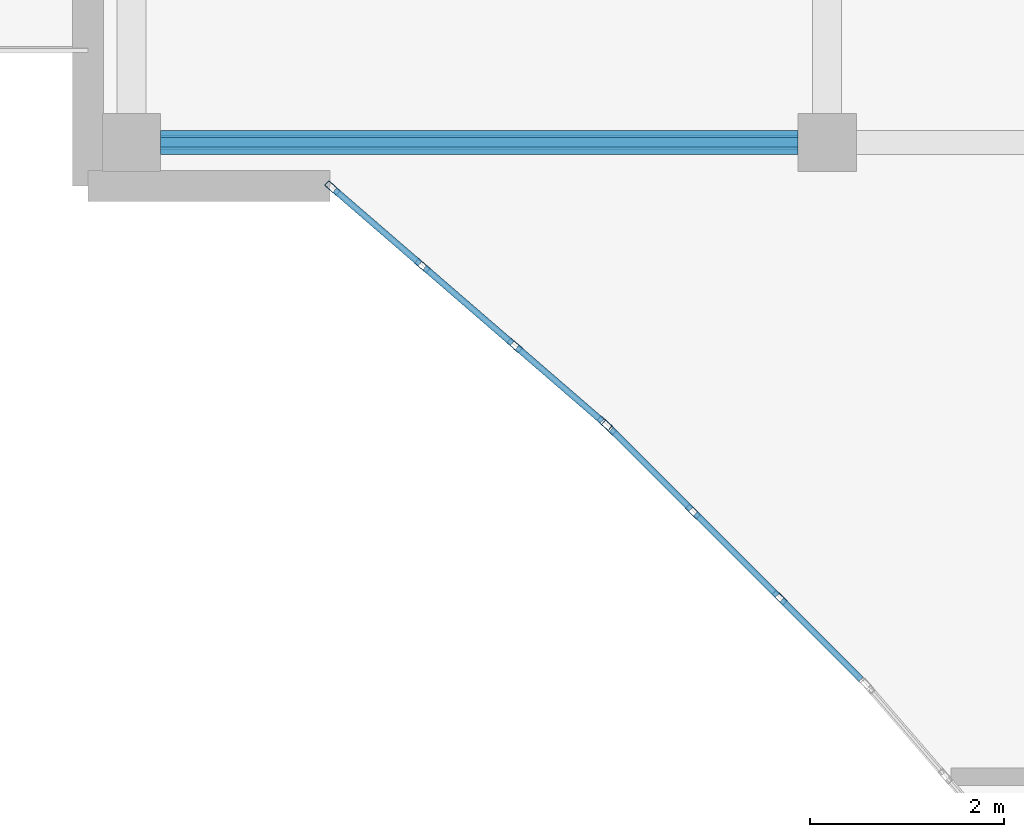
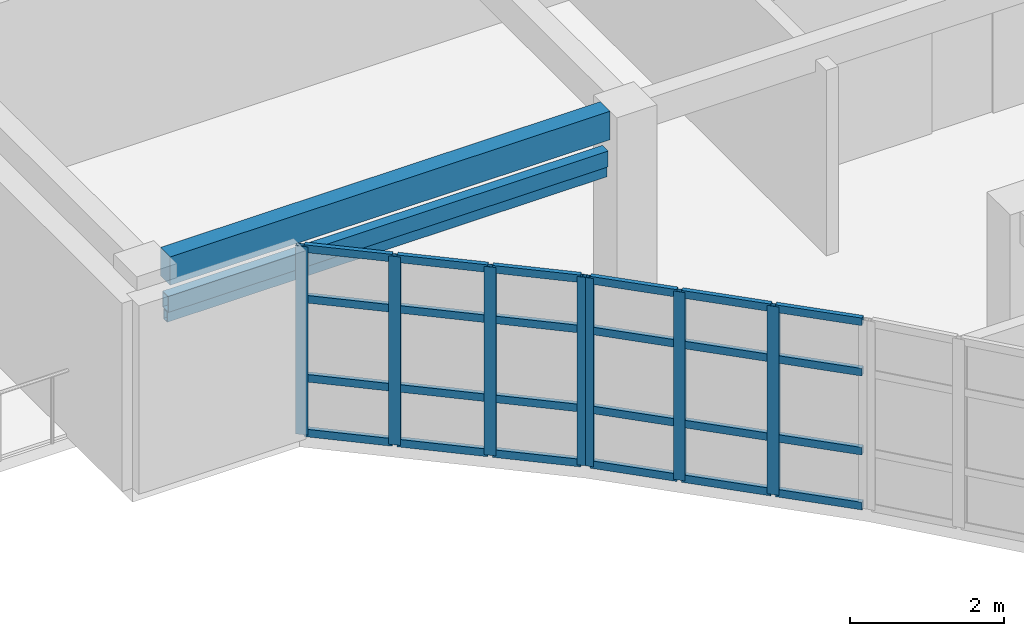
# One storey, part 9 of 72: 33 members, 1 beam, 2 elements without a shape of their own.
"""IFC4 building model written with IfcOpenShell, lengths in metres."""

from ifc_helpers import new_model, si_unit, direction, frame, origin, origin_2d, place, context, subcontext, project, spatial, rectangle, hollow_rectangle, extrude, material, layer, layer_set, material_profile, profile_set, type_object, element, aggregate, save


model = new_model("IFC4")

# Units and contexts
model_context = context("Model", 3, precision=1e-05, world=origin(), true_north=direction((0.0, 1.0)))
body_context = subcontext(model_context, "Body", "Model", "MODEL_VIEW")
ifc_project = project(units=[si_unit("LENGTHUNIT", "METRE"), si_unit("AREAUNIT", "SQUARE_METRE"), si_unit("VOLUMEUNIT", "CUBIC_METRE"), si_unit("PLANEANGLEUNIT", "RADIAN"), si_unit("MASSUNIT", "GRAM", prefix="KILO")], contexts=[model_context])

# Site, building, storey
site_placement = place(None, origin())
site = spatial("IfcSite", under=ifc_project, at=site_placement, CompositionType="ELEMENT")
building_placement = place(site_placement, origin())
building = spatial("IfcBuilding", under=site, at=building_placement, Name="Keldmere Railside Commons", CompositionType="ELEMENT")
storey_placement = place(building_placement, frame((0.0, 0.0, 16.9599609375)))
storey = spatial("IfcBuildingStorey", under=building, at=storey_placement, Name="L05", CompositionType="ELEMENT", Elevation=16.9599609375)

# Member
ifc_material_1 = material(Name="Steel F-36 (S355)", Category="steel")
ifc_material_profile_1 = material_profile(ifc_material_1, hollow_rectangle(XDim=0.14990234375, YDim=0.25, WallThickness=0.010009765625, at=origin_2d()), Name="RHS-250x150x10")
ifc_profile_set_1 = profile_set([ifc_material_profile_1], Name="Steel F-36 (S355)")
member_type_1 = type_object("IfcMemberType", Name="Balcony Continuous Planted Trough RHS250x150", PredefinedType="CHORD", material=ifc_profile_set_1)
member_1_placement = place(storey_placement, frame((94.25, 100.449951171875, 2.4150390625), z_axis=(1.0, 0.0, 0.0), x_axis=(0.0, 1.0, 0.0)))
element("IfcMember", 1, at=member_1_placement, inside=storey, type_object=member_type_1, Name="PLT-1 MEM-BPLT-0633", PredefinedType="CHORD", context=body_context, shape_type="SweptSolid", body=[
    extrude(hollow_rectangle(XDim=0.14990234375, YDim=0.25, WallThickness=0.010009765625, at=origin_2d()), origin(), (0.0, 0.0, 1.0), 6.5830078125),
])

# Beam
ifc_material_2 = material(Name="Architectural Precast Concrete H-35 (C35/45)", Category="concrete")
ifc_material_profile_2 = material_profile(ifc_material_2, rectangle(XDim=0.25, YDim=0.449951171875, at=origin_2d()), Name="RC-250x450")
ifc_profile_set_2 = profile_set([ifc_material_profile_2], Name="Architectural Precast Concrete H-35 (C35/45)")
beam_type = type_object("IfcBeamType", Name="Perimeter Precast Spandrel Beam 250x450", PredefinedType="SPANDREL", material=ifc_profile_set_2)
beam_placement = place(storey_placement, frame((94.25, 100.449951171875, 2.97509765625), z_axis=(1.0, 0.0, 0.0), x_axis=(0.0, 1.0, 0.0)))
element("IfcBeam", 2, at=beam_placement, inside=storey, type_object=beam_type, Name="SPB-1 BM-L05-1732", PredefinedType="SPANDREL", context=body_context, shape_type="SweptSolid", body=[
    extrude(rectangle(XDim=0.25, YDim=0.449951171875, at=origin_2d()), origin(), (0.0, 0.0, 1.0), 6.5830078125),
])

# Member
ifc_material_profile_3 = material_profile(ifc_material_1, hollow_rectangle(XDim=0.10009765625, YDim=0.159912109375, WallThickness=0.008056640625, at=origin_2d()), Name="RHS-160x100x8")
ifc_profile_set_3 = profile_set([ifc_material_profile_3], Name="Steel F-36 (S355)")
member_type_2 = type_object("IfcMemberType", Name="Solar Brise-Soleil Louvre Fin RHS160x100", PredefinedType="STRUT", material=ifc_profile_set_3)
member_2_placement = place(storey_placement, frame((94.25, 100.449951171875, 2.199951171875), z_axis=(1.0, 0.0, 0.0), x_axis=(0.0, 1.0, 0.0)))
element("IfcMember", 3, at=member_2_placement, inside=storey, type_object=member_type_2, Name="BSF-1 MEM-BSF-0634", PredefinedType="STRUT", context=body_context, shape_type="SweptSolid", body=[
    extrude(hollow_rectangle(XDim=0.10009765625, YDim=0.159912109375, WallThickness=0.008056640625, at=origin_2d()), origin(), (0.0, 0.0, 1.0), 6.5830078125),
])

# Curtain wall, members
ifc_material_3 = material(Name="Thermally Broken Aluminium", Category="aluminium")
ifc_layer_1 = layer(ifc_material_3, 0.159912109375, Name="Court Chord Wintergarden CW 4800x2850")
ifc_layer_set_1 = layer_set([ifc_layer_1], Name="Thermally Broken Aluminium")
curtain_wall_type_1 = type_object("IfcCurtainWallType", Name="Court Chord Wintergarden CW 4800x2850", PredefinedType="NOTDEFINED", material=ifc_layer_set_1)
curtain_wall_1_placement = place(storey_placement, origin())
curtain_wall_1 = element("IfcCurtainWall", 4, at=curtain_wall_1_placement, inside=storey, type_object=curtain_wall_type_1, Name="CW-12 CW-L05-118", PredefinedType="NOTDEFINED")
ifc_material_profile_4 = material_profile(ifc_material_3, hollow_rectangle(XDim=0.06494140625, YDim=0.159912109375, WallThickness=0.00390625, at=origin_2d()), Name="ALU-MULL-65x160")
ifc_profile_set_4 = profile_set([ifc_material_profile_4], Name="Thermally Broken Aluminium")
member_type_3 = type_object("IfcMemberType", Name="Unitised Curtain Wall Mullion 65x160", PredefinedType="MULLION", material=ifc_profile_set_4)
member_3_placement = place(storey_placement, frame((98.83349609375, 97.55126953125, 0.0), z_axis=(0.0, 0.0, 1.0), x_axis=(-0.653881741053, -0.756596767584, 0.0)))
member_3 = element("IfcMember", 5, at=member_3_placement, type_object=member_type_3, Name="CW-12 mullion 1", PredefinedType="MULLION", context=body_context, shape_type="SweptSolid", body=[
    extrude(hollow_rectangle(XDim=0.06494140625, YDim=0.159912109375, WallThickness=0.00390625, at=origin_2d()), origin(), (0.0, 0.0, 1.0), 2.97998046875),
])
member_4_placement = place(storey_placement, frame((97.9052734375, 98.353271484375, 0.0), z_axis=(0.0, 0.0, 1.0), x_axis=(-0.653881741053, -0.756596767584, 0.0)))
member_4 = element("IfcMember", 6, at=member_4_placement, type_object=member_type_3, Name="CW-12 mullion 2", PredefinedType="MULLION", context=body_context, shape_type="SweptSolid", body=[
    extrude(hollow_rectangle(XDim=0.06494140625, YDim=0.159912109375, WallThickness=0.00390625, at=origin_2d()), origin(), (0.0, 0.0, 1.0), 2.97998046875),
])
member_5_placement = place(storey_placement, frame((96.95263671875, 99.1767578125, 0.0), z_axis=(0.0, 0.0, 1.0), x_axis=(-0.653881741053, -0.756596767584, 0.0)))
member_5 = element("IfcMember", 7, at=member_5_placement, type_object=member_type_3, Name="CW-12 mullion 3", PredefinedType="MULLION", context=body_context, shape_type="SweptSolid", body=[
    extrude(hollow_rectangle(XDim=0.06494140625, YDim=0.159912109375, WallThickness=0.00390625, at=origin_2d()), origin(), (0.0, 0.0, 1.0), 2.97998046875),
])
member_6_placement = place(storey_placement, frame((96.024658203125, 99.978759765625, 0.0), z_axis=(0.0, 0.0, 1.0), x_axis=(-0.653881741053, -0.756596767584, 0.0)))
member_6 = element("IfcMember", 8, at=member_6_placement, type_object=member_type_3, Name="CW-12 mullion 4", PredefinedType="MULLION", context=body_context, shape_type="SweptSolid", body=[
    extrude(hollow_rectangle(XDim=0.06494140625, YDim=0.159912109375, WallThickness=0.00390625, at=origin_2d()), origin(), (0.0, 0.0, 1.0), 2.97998046875),
])

ifc_layer_2 = layer(ifc_material_3, 0.159912109375, Name="Court Chord Wintergarden CW 5400x2850")
ifc_layer_set_2 = layer_set([ifc_layer_2], Name="Thermally Broken Aluminium")
curtain_wall_type_2 = type_object("IfcCurtainWallType", Name="Court Chord Wintergarden CW 5400x2850", PredefinedType="NOTDEFINED", material=ifc_layer_set_2)
curtain_wall_2_placement = place(storey_placement, origin())
curtain_wall_2 = element("IfcCurtainWall", 9, at=curtain_wall_2_placement, inside=storey, type_object=curtain_wall_type_2, Name="CW-13 CW-L05-119", PredefinedType="NOTDEFINED")
member_7_placement = place(storey_placement, frame((100.639404296875, 95.748779296875, 0.0), z_axis=(0.0, 0.0, 1.0), x_axis=(-0.707106781187, -0.707106781187, 0.0)))
member_7 = element("IfcMember", 10, at=member_7_placement, type_object=member_type_3, Name="CW-13 mullion 2", PredefinedType="MULLION", context=body_context, shape_type="SweptSolid", body=[
    extrude(hollow_rectangle(XDim=0.06494140625, YDim=0.159912109375, WallThickness=0.00390625, at=origin_2d()), origin(), (0.0, 0.0, 1.0), 2.97998046875),
])
member_8_placement = place(storey_placement, frame((99.748779296875, 96.639404296875, 0.0), z_axis=(0.0, 0.0, 1.0), x_axis=(-0.707106781187, -0.707106781187, 0.0)))
member_8 = element("IfcMember", 11, at=member_8_placement, type_object=member_type_3, Name="CW-13 mullion 3", PredefinedType="MULLION", context=body_context, shape_type="SweptSolid", body=[
    extrude(hollow_rectangle(XDim=0.06494140625, YDim=0.159912109375, WallThickness=0.00390625, at=origin_2d()), origin(), (0.0, 0.0, 1.0), 2.97998046875),
])
member_9_placement = place(storey_placement, frame((98.880859375, 97.507080078125, 0.0), z_axis=(0.0, 0.0, 1.0), x_axis=(-0.707106781187, -0.707106781187, 0.0)))
member_9 = element("IfcMember", 12, at=member_9_placement, type_object=member_type_3, Name="CW-13 mullion 4", PredefinedType="MULLION", context=body_context, shape_type="SweptSolid", body=[
    extrude(hollow_rectangle(XDim=0.06494140625, YDim=0.159912109375, WallThickness=0.00390625, at=origin_2d()), origin(), (0.0, 0.0, 1.0), 2.97998046875),
])

# Member
ifc_material_profile_5 = material_profile(ifc_material_3, hollow_rectangle(XDim=0.06494140625, YDim=0.1201171875, WallThickness=0.00390625, at=origin_2d()), Name="ALU-TRAN-65x120")
ifc_profile_set_5 = profile_set([ifc_material_profile_5], Name="Thermally Broken Aluminium")
member_type_4 = type_object("IfcMemberType", Name="Unitised Curtain Wall Transom 65x120", PredefinedType="USERDEFINED", material=ifc_profile_set_5)
member_10_placement = place(storey_placement, frame((98.808837890625, 97.572509765625, 0.032470703125), z_axis=(-0.756624489527, 0.653849663033, 0.0), x_axis=(-0.653849663033, -0.756624489527, 0.0)))
member_10 = element("IfcMember", 13, at=member_10_placement, type_object=member_type_4, Name="CW-12 transom 1.1", ObjectType="TRANSOM", PredefinedType="USERDEFINED", context=body_context, shape_type="SweptSolid", body=[
    extrude(hollow_rectangle(XDim=0.06494140625, YDim=0.1201171875, WallThickness=0.00390625, at=origin_2d()), origin(), (0.0, 0.0, 1.0), 1.16162109375),
])

member_11_placement = place(storey_placement, frame((98.808837890625, 97.572509765625, 0.900146484375), z_axis=(-0.756624489527, 0.653849663033, 0.0), x_axis=(-0.653849663033, -0.756624489527, 0.0)))
member_11 = element("IfcMember", 14, at=member_11_placement, type_object=member_type_4, Name="CW-12 transom 1.2", ObjectType="TRANSOM", PredefinedType="USERDEFINED", context=body_context, shape_type="SweptSolid", body=[
    extrude(hollow_rectangle(XDim=0.06494140625, YDim=0.1201171875, WallThickness=0.00390625, at=origin_2d()), origin(), (0.0, 0.0, 1.0), 1.16162109375),
])

member_12_placement = place(storey_placement, frame((98.808837890625, 97.572509765625, 2.150146484375), z_axis=(-0.756624489527, 0.653849663033, 0.0), x_axis=(-0.653849663033, -0.756624489527, 0.0)))
member_12 = element("IfcMember", 15, at=member_12_placement, type_object=member_type_4, Name="CW-12 transom 1.3", ObjectType="TRANSOM", PredefinedType="USERDEFINED", context=body_context, shape_type="SweptSolid", body=[
    extrude(hollow_rectangle(XDim=0.06494140625, YDim=0.1201171875, WallThickness=0.00390625, at=origin_2d()), origin(), (0.0, 0.0, 1.0), 1.16162109375),
])

member_13_placement = place(storey_placement, frame((98.808837890625, 97.572509765625, 2.947509765625), z_axis=(-0.756624489527, 0.653849663033, 0.0), x_axis=(-0.653849663033, -0.756624489527, 0.0)))
member_13 = element("IfcMember", 16, at=member_13_placement, type_object=member_type_4, Name="CW-12 transom 1.4", ObjectType="TRANSOM", PredefinedType="USERDEFINED", context=body_context, shape_type="SweptSolid", body=[
    extrude(hollow_rectangle(XDim=0.06494140625, YDim=0.1201171875, WallThickness=0.00390625, at=origin_2d()), origin(), (0.0, 0.0, 1.0), 1.16162109375),
])

member_14_placement = place(storey_placement, frame((97.880859375, 98.37451171875, 0.032470703125), z_axis=(-0.756551755881, 0.653933819796, 0.0), x_axis=(-0.653933819796, -0.756551755881, 0.0)))
member_14 = element("IfcMember", 17, at=member_14_placement, type_object=member_type_4, Name="CW-12 transom 2.1", ObjectType="TRANSOM", PredefinedType="USERDEFINED", context=body_context, shape_type="SweptSolid", body=[
    extrude(hollow_rectangle(XDim=0.06494140625, YDim=0.1201171875, WallThickness=0.00390625, at=origin_2d()), origin(), (0.0, 0.0, 1.0), 1.1943359375),
])

member_15_placement = place(storey_placement, frame((97.880859375, 98.37451171875, 0.900146484375), z_axis=(-0.756551755881, 0.653933819796, 0.0), x_axis=(-0.653933819796, -0.756551755881, 0.0)))
member_15 = element("IfcMember", 18, at=member_15_placement, type_object=member_type_4, Name="CW-12 transom 2.2", ObjectType="TRANSOM", PredefinedType="USERDEFINED", context=body_context, shape_type="SweptSolid", body=[
    extrude(hollow_rectangle(XDim=0.06494140625, YDim=0.1201171875, WallThickness=0.00390625, at=origin_2d()), origin(), (0.0, 0.0, 1.0), 1.1943359375),
])

member_16_placement = place(storey_placement, frame((97.880859375, 98.37451171875, 2.150146484375), z_axis=(-0.756551755881, 0.653933819796, 0.0), x_axis=(-0.653933819796, -0.756551755881, 0.0)))
member_16 = element("IfcMember", 19, at=member_16_placement, type_object=member_type_4, Name="CW-12 transom 2.3", ObjectType="TRANSOM", PredefinedType="USERDEFINED", context=body_context, shape_type="SweptSolid", body=[
    extrude(hollow_rectangle(XDim=0.06494140625, YDim=0.1201171875, WallThickness=0.00390625, at=origin_2d()), origin(), (0.0, 0.0, 1.0), 1.1943359375),
])

member_17_placement = place(storey_placement, frame((97.880859375, 98.37451171875, 2.947509765625), z_axis=(-0.756551755881, 0.653933819796, 0.0), x_axis=(-0.653933819796, -0.756551755881, 0.0)))
member_17 = element("IfcMember", 20, at=member_17_placement, type_object=member_type_4, Name="CW-12 transom 2.4", ObjectType="TRANSOM", PredefinedType="USERDEFINED", context=body_context, shape_type="SweptSolid", body=[
    extrude(hollow_rectangle(XDim=0.06494140625, YDim=0.1201171875, WallThickness=0.00390625, at=origin_2d()), origin(), (0.0, 0.0, 1.0), 1.1943359375),
])

member_18_placement = place(storey_placement, frame((96.927978515625, 99.197998046875, 0.032470703125), z_axis=(-0.756624489527, 0.653849663033, 0.0), x_axis=(-0.653849663033, -0.756624489527, 0.0)))
member_18 = element("IfcMember", 21, at=member_18_placement, type_object=member_type_4, Name="CW-12 transom 3.1", ObjectType="TRANSOM", PredefinedType="USERDEFINED", context=body_context, shape_type="SweptSolid", body=[
    extrude(hollow_rectangle(XDim=0.06494140625, YDim=0.1201171875, WallThickness=0.00390625, at=origin_2d()), origin(), (0.0, 0.0, 1.0), 1.16162109375),
])

member_19_placement = place(storey_placement, frame((96.927978515625, 99.197998046875, 0.900146484375), z_axis=(-0.756624489527, 0.653849663033, 0.0), x_axis=(-0.653849663033, -0.756624489527, 0.0)))
member_19 = element("IfcMember", 22, at=member_19_placement, type_object=member_type_4, Name="CW-12 transom 3.2", ObjectType="TRANSOM", PredefinedType="USERDEFINED", context=body_context, shape_type="SweptSolid", body=[
    extrude(hollow_rectangle(XDim=0.06494140625, YDim=0.1201171875, WallThickness=0.00390625, at=origin_2d()), origin(), (0.0, 0.0, 1.0), 1.16162109375),
])

member_20_placement = place(storey_placement, frame((96.927978515625, 99.197998046875, 2.150146484375), z_axis=(-0.756624489527, 0.653849663033, 0.0), x_axis=(-0.653849663033, -0.756624489527, 0.0)))
member_20 = element("IfcMember", 23, at=member_20_placement, type_object=member_type_4, Name="CW-12 transom 3.3", ObjectType="TRANSOM", PredefinedType="USERDEFINED", context=body_context, shape_type="SweptSolid", body=[
    extrude(hollow_rectangle(XDim=0.06494140625, YDim=0.1201171875, WallThickness=0.00390625, at=origin_2d()), origin(), (0.0, 0.0, 1.0), 1.16162109375),
])

member_21_placement = place(storey_placement, frame((96.927978515625, 99.197998046875, 2.947509765625), z_axis=(-0.756624489527, 0.653849663033, 0.0), x_axis=(-0.653849663033, -0.756624489527, 0.0)))
member_21 = element("IfcMember", 24, at=member_21_placement, type_object=member_type_4, Name="CW-12 transom 3.4", ObjectType="TRANSOM", PredefinedType="USERDEFINED", context=body_context, shape_type="SweptSolid", body=[
    extrude(hollow_rectangle(XDim=0.06494140625, YDim=0.1201171875, WallThickness=0.00390625, at=origin_2d()), origin(), (0.0, 0.0, 1.0), 1.16162109375),
])

aggregate(curtain_wall_1, [member_3, member_4, member_5, member_6, member_10, member_11, member_12, member_13, member_14, member_15, member_16, member_17, member_18, member_19, member_20, member_21])

member_22_placement = place(storey_placement, frame((101.484130859375, 94.904052734375, 0.032470703125), z_axis=(-0.707211825645, 0.707001721121, 0.0), x_axis=(-0.707001721121, -0.707211825645, 0.0)))
member_22 = element("IfcMember", 25, at=member_22_placement, type_object=member_type_4, Name="CW-13 transom 1.1", ObjectType="TRANSOM", PredefinedType="USERDEFINED", context=body_context, shape_type="SweptSolid", body=[
    extrude(hollow_rectangle(XDim=0.06494140625, YDim=0.1201171875, WallThickness=0.00390625, at=origin_2d()), origin(), (0.0, 0.0, 1.0), 1.162109375),
])

member_23_placement = place(storey_placement, frame((101.484130859375, 94.904052734375, 0.900146484375), z_axis=(-0.707211825645, 0.707001721121, 0.0), x_axis=(-0.707001721121, -0.707211825645, 0.0)))
member_23 = element("IfcMember", 26, at=member_23_placement, type_object=member_type_4, Name="CW-13 transom 1.2", ObjectType="TRANSOM", PredefinedType="USERDEFINED", context=body_context, shape_type="SweptSolid", body=[
    extrude(hollow_rectangle(XDim=0.06494140625, YDim=0.1201171875, WallThickness=0.00390625, at=origin_2d()), origin(), (0.0, 0.0, 1.0), 1.162109375),
])

member_24_placement = place(storey_placement, frame((101.484130859375, 94.904052734375, 2.150146484375), z_axis=(-0.707211825645, 0.707001721121, 0.0), x_axis=(-0.707001721121, -0.707211825645, 0.0)))
member_24 = element("IfcMember", 27, at=member_24_placement, type_object=member_type_4, Name="CW-13 transom 1.3", ObjectType="TRANSOM", PredefinedType="USERDEFINED", context=body_context, shape_type="SweptSolid", body=[
    extrude(hollow_rectangle(XDim=0.06494140625, YDim=0.1201171875, WallThickness=0.00390625, at=origin_2d()), origin(), (0.0, 0.0, 1.0), 1.162109375),
])

member_25_placement = place(storey_placement, frame((101.484130859375, 94.904052734375, 2.947509765625), z_axis=(-0.707211825645, 0.707001721121, 0.0), x_axis=(-0.707001721121, -0.707211825645, 0.0)))
member_25 = element("IfcMember", 28, at=member_25_placement, type_object=member_type_4, Name="CW-13 transom 1.4", ObjectType="TRANSOM", PredefinedType="USERDEFINED", context=body_context, shape_type="SweptSolid", body=[
    extrude(hollow_rectangle(XDim=0.06494140625, YDim=0.1201171875, WallThickness=0.00390625, at=origin_2d()), origin(), (0.0, 0.0, 1.0), 1.162109375),
])

member_26_placement = place(storey_placement, frame((100.616455078125, 95.771728515625, 0.032470703125), z_axis=(-0.707106781187, 0.707106781187, 0.0), x_axis=(-0.707106781187, -0.707106781187, 0.0)))
member_26 = element("IfcMember", 29, at=member_26_placement, type_object=member_type_4, Name="CW-13 transom 2.1", ObjectType="TRANSOM", PredefinedType="USERDEFINED", context=body_context, shape_type="SweptSolid", body=[
    extrude(hollow_rectangle(XDim=0.06494140625, YDim=0.1201171875, WallThickness=0.00390625, at=origin_2d()), origin(), (0.0, 0.0, 1.0), 1.194580078125),
])

member_27_placement = place(storey_placement, frame((100.616455078125, 95.771728515625, 0.900146484375), z_axis=(-0.707106781187, 0.707106781187, 0.0), x_axis=(-0.707106781187, -0.707106781187, 0.0)))
member_27 = element("IfcMember", 30, at=member_27_placement, type_object=member_type_4, Name="CW-13 transom 2.2", ObjectType="TRANSOM", PredefinedType="USERDEFINED", context=body_context, shape_type="SweptSolid", body=[
    extrude(hollow_rectangle(XDim=0.06494140625, YDim=0.1201171875, WallThickness=0.00390625, at=origin_2d()), origin(), (0.0, 0.0, 1.0), 1.194580078125),
])

member_28_placement = place(storey_placement, frame((100.616455078125, 95.771728515625, 2.150146484375), z_axis=(-0.707106781187, 0.707106781187, 0.0), x_axis=(-0.707106781187, -0.707106781187, 0.0)))
member_28 = element("IfcMember", 31, at=member_28_placement, type_object=member_type_4, Name="CW-13 transom 2.3", ObjectType="TRANSOM", PredefinedType="USERDEFINED", context=body_context, shape_type="SweptSolid", body=[
    extrude(hollow_rectangle(XDim=0.06494140625, YDim=0.1201171875, WallThickness=0.00390625, at=origin_2d()), origin(), (0.0, 0.0, 1.0), 1.194580078125),
])

member_29_placement = place(storey_placement, frame((100.616455078125, 95.771728515625, 2.947509765625), z_axis=(-0.707106781187, 0.707106781187, 0.0), x_axis=(-0.707106781187, -0.707106781187, 0.0)))
member_29 = element("IfcMember", 32, at=member_29_placement, type_object=member_type_4, Name="CW-13 transom 2.4", ObjectType="TRANSOM", PredefinedType="USERDEFINED", context=body_context, shape_type="SweptSolid", body=[
    extrude(hollow_rectangle(XDim=0.06494140625, YDim=0.1201171875, WallThickness=0.00390625, at=origin_2d()), origin(), (0.0, 0.0, 1.0), 1.194580078125),
])

member_30_placement = place(storey_placement, frame((99.7255859375, 96.662353515625, 0.032470703125), z_axis=(-0.707001721121, 0.707211825645, 0.0), x_axis=(-0.707211825645, -0.707001721121, 0.0)))
member_30 = element("IfcMember", 33, at=member_30_placement, type_object=member_type_4, Name="CW-13 transom 3.1", ObjectType="TRANSOM", PredefinedType="USERDEFINED", context=body_context, shape_type="SweptSolid", body=[
    extrude(hollow_rectangle(XDim=0.06494140625, YDim=0.1201171875, WallThickness=0.00390625, at=origin_2d()), origin(), (0.0, 0.0, 1.0), 1.162109375),
])

member_31_placement = place(storey_placement, frame((99.7255859375, 96.662353515625, 0.900146484375), z_axis=(-0.707001721121, 0.707211825645, 0.0), x_axis=(-0.707211825645, -0.707001721121, 0.0)))
member_31 = element("IfcMember", 34, at=member_31_placement, type_object=member_type_4, Name="CW-13 transom 3.2", ObjectType="TRANSOM", PredefinedType="USERDEFINED", context=body_context, shape_type="SweptSolid", body=[
    extrude(hollow_rectangle(XDim=0.06494140625, YDim=0.1201171875, WallThickness=0.00390625, at=origin_2d()), origin(), (0.0, 0.0, 1.0), 1.162109375),
])

member_32_placement = place(storey_placement, frame((99.7255859375, 96.662353515625, 2.150146484375), z_axis=(-0.707001721121, 0.707211825645, 0.0), x_axis=(-0.707211825645, -0.707001721121, 0.0)))
member_32 = element("IfcMember", 35, at=member_32_placement, type_object=member_type_4, Name="CW-13 transom 3.3", ObjectType="TRANSOM", PredefinedType="USERDEFINED", context=body_context, shape_type="SweptSolid", body=[
    extrude(hollow_rectangle(XDim=0.06494140625, YDim=0.1201171875, WallThickness=0.00390625, at=origin_2d()), origin(), (0.0, 0.0, 1.0), 1.162109375),
])

member_33_placement = place(storey_placement, frame((99.7255859375, 96.662353515625, 2.947509765625), z_axis=(-0.707001721121, 0.707211825645, 0.0), x_axis=(-0.707211825645, -0.707001721121, 0.0)))
member_33 = element("IfcMember", 36, at=member_33_placement, type_object=member_type_4, Name="CW-13 transom 3.4", ObjectType="TRANSOM", PredefinedType="USERDEFINED", context=body_context, shape_type="SweptSolid", body=[
    extrude(hollow_rectangle(XDim=0.06494140625, YDim=0.1201171875, WallThickness=0.00390625, at=origin_2d()), origin(), (0.0, 0.0, 1.0), 1.162109375),
])

aggregate(curtain_wall_2, [member_7, member_8, member_9, member_22, member_23, member_24, member_25, member_26, member_27, member_28, member_29, member_30, member_31, member_32, member_33])

save(model, "model.ifc")
